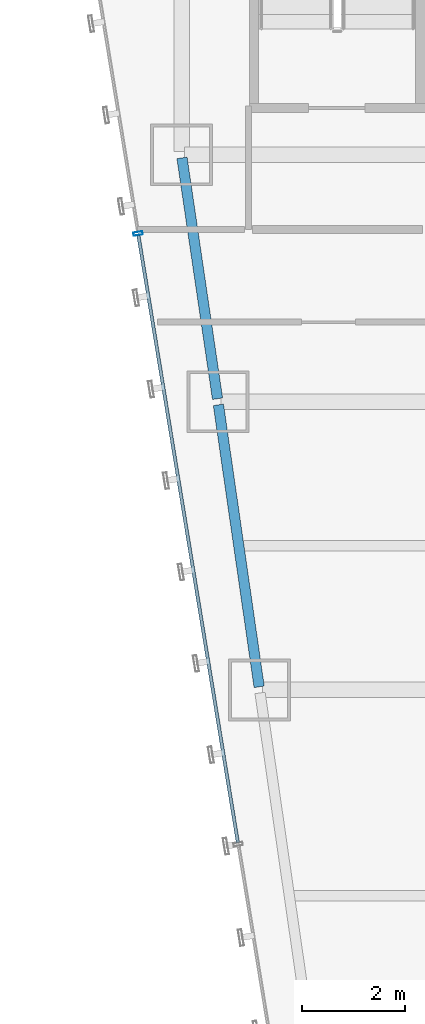
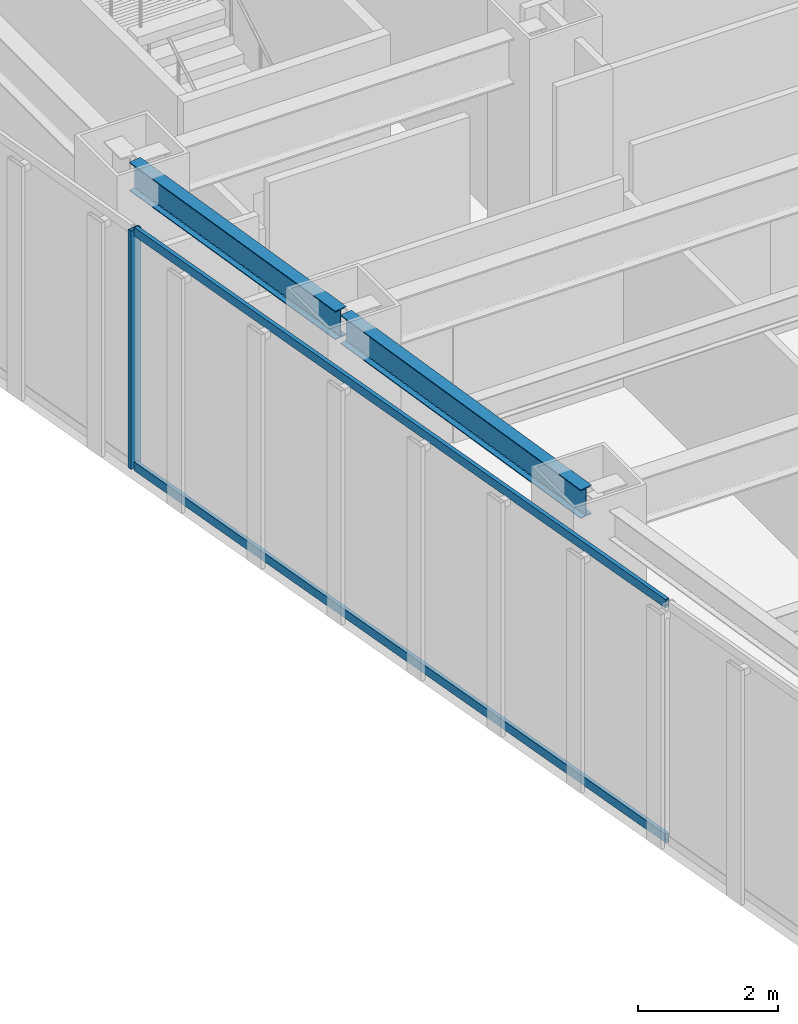
# One storey, part 22 of 47: 3 members, 2 beams, 1 element without a shape of its own.
"""IFC4 building model written with IfcOpenShell, lengths in metres."""

from ifc_helpers import new_model, si_unit, direction, frame, origin, origin_2d, place, context, subcontext, project, spatial, hollow_rectangle, i_section, extrude, material, material_profile, profile_set, type_object, element, aggregate, save


model = new_model("IFC4")

# Units and contexts
model_context = context("Model", 3, precision=1e-05, world=origin(), true_north=direction((0.0, 1.0)))
body_context = subcontext(model_context, "Body", "Model", "MODEL_VIEW")
ifc_project = project(units=[si_unit("LENGTHUNIT", "METRE"), si_unit("AREAUNIT", "SQUARE_METRE"), si_unit("VOLUMEUNIT", "CUBIC_METRE"), si_unit("PLANEANGLEUNIT", "RADIAN"), si_unit("MASSUNIT", "GRAM", prefix="KILO")], contexts=[model_context])

# Site, building, storey
site_placement = place(None, origin())
site = spatial("IfcSite", under=ifc_project, at=site_placement, CompositionType="ELEMENT")
building_placement = place(site_placement, origin())
building = spatial("IfcBuilding", under=site, at=building_placement, Name="Saevonmaru Cultural Tower", CompositionType="ELEMENT")
storey_placement = place(building_placement, frame((0.0, 0.0, 51.60009765625)))
storey = spatial("IfcBuildingStorey", under=building, at=storey_placement, Name="L10", CompositionType="ELEMENT", Elevation=51.60009765625)

# Beams
ifc_material_1 = material(Name="Steel SM355", Category="steel")
ifc_material_profile_1 = material_profile(ifc_material_1, i_section(OverallWidth=0.199951171875, OverallDepth=0.5, WebThickness=0.010009765625, FlangeThickness=0.01611328125, FilletRadius=0.02001953125, at=origin_2d()), Name="H-500x200x10x16")
ifc_profile_set_1 = profile_set([ifc_material_profile_1], Name="Steel SM355")
beam_type = type_object("IfcBeamType", Name="BM-SP-H500", PredefinedType="SPANDREL", material=ifc_profile_set_1)
beam_1_placement = place(storey_placement, frame((8.308349609375, 32.059326171875, 3.89990234375), z_axis=(-0.142964121327, 0.989727871697, 0.0), x_axis=(-0.989727871697, -0.142964121327, 0.0)))
element("IfcBeam", 1, at=beam_1_placement, inside=storey, type_object=beam_type, Name="L10 West Splayed Spandrel 5", PredefinedType="SPANDREL", context=body_context, shape_type="SweptSolid", body=[
    extrude(i_section(OverallWidth=0.199951171875, OverallDepth=0.5, WebThickness=0.010009765625, FlangeThickness=0.01611328125, FilletRadius=0.02001953125, at=origin_2d()), origin(), (0.0, 0.0, 1.0), 5.5380859375),
])
beam_2_placement = place(storey_placement, frame((7.499267578125, 37.659423828125, 3.89990234375), z_axis=(-0.145912860028, 0.989297446312, 0.0), x_axis=(-0.989297446312, -0.145912860028, 0.0)))
element("IfcBeam", 2, at=beam_2_placement, inside=storey, type_object=beam_type, Name="L10 West Splayed Spandrel 6", PredefinedType="SPANDREL", context=body_context, shape_type="SweptSolid", body=[
    extrude(i_section(OverallWidth=0.199951171875, OverallDepth=0.5, WebThickness=0.010009765625, FlangeThickness=0.01611328125, FilletRadius=0.02001953125, at=origin_2d()), origin(), (0.0, 0.0, 1.0), 4.731689453125),
])

# Curtain wall, members
ifc_material_2 = material(Name="Satin Bronze Anodised Aluminium", Category="aluminium")
curtain_wall_type = type_object("IfcCurtainWallType", Name="CW-TYP-A", PredefinedType="NOTDEFINED", material=ifc_material_2)
curtain_wall_placement = place(storey_placement, origin())
curtain_wall = element("IfcCurtainWall", 3, at=curtain_wall_placement, inside=storey, type_object=curtain_wall_type, Name="L10 Unitised Curtain Wall E12", PredefinedType="NOTDEFINED")
ifc_material_profile_2 = material_profile(ifc_material_2, hollow_rectangle(XDim=0.06494140625, YDim=0.179931640625, WallThickness=0.00390625, at=origin_2d()), Name="ALU-MULL-180x65x4")
ifc_profile_set_2 = profile_set([ifc_material_profile_2], Name="Satin Bronze Anodised Aluminium")
member_type_1 = type_object("IfcMemberType", Name="ML-CW-180x65", PredefinedType="MULLION", material=ifc_profile_set_2)
member_1_placement = place(storey_placement, frame((5.954833984375, 40.870361328125, 0.0), z_axis=(0.0, 0.0, 1.0), x_axis=(0.161708868641, -0.986838508472, 0.0)))
member_1 = element("IfcMember", 4, at=member_1_placement, type_object=member_type_1, Name="CW-TW-L10-E12 mullion 2", PredefinedType="MULLION", context=body_context, shape_type="SweptSolid", body=[
    extrude(hollow_rectangle(XDim=0.06494140625, YDim=0.179931640625, WallThickness=0.00390625, at=origin_2d()), origin(), (0.0, 0.0, 1.0), 4.14990234375),
])
ifc_material_profile_3 = material_profile(ifc_material_2, hollow_rectangle(XDim=0.06494140625, YDim=0.14990234375, WallThickness=0.00390625, at=origin_2d()), Name="ALU-TRAN-150x65x4")
ifc_profile_set_3 = profile_set([ifc_material_profile_3], Name="Satin Bronze Anodised Aluminium")
member_type_2 = type_object("IfcMemberType", Name="TR-CW-150x65", PredefinedType="USERDEFINED", material=ifc_profile_set_3)
member_2_placement = place(storey_placement, frame((5.960205078125, 40.83837890625, 0.032470703125), z_axis=(0.161701400727, -0.986839732177, 0.0), x_axis=(0.986839732177, 0.161701400727, 0.0)))
member_2 = element("IfcMember", 5, at=member_2_placement, type_object=member_type_2, Name="CW-TW-L10-E12 transom 2.1", ObjectType="TRANSOM", PredefinedType="USERDEFINED", context=body_context, shape_type="SweptSolid", body=[
    extrude(hollow_rectangle(XDim=0.06494140625, YDim=0.14990234375, WallThickness=0.00390625, at=origin_2d()), origin(), (0.0, 0.0, 1.0), 11.9638671875),
])
member_3_placement = place(storey_placement, frame((5.960205078125, 40.83837890625, 4.117431640625), z_axis=(0.161701400727, -0.986839732177, 0.0), x_axis=(0.986839732177, 0.161701400727, 0.0)))
member_3 = element("IfcMember", 6, at=member_3_placement, type_object=member_type_2, Name="CW-TW-L10-E12 transom 2.2", ObjectType="TRANSOM", PredefinedType="USERDEFINED", context=body_context, shape_type="SweptSolid", body=[
    extrude(hollow_rectangle(XDim=0.06494140625, YDim=0.14990234375, WallThickness=0.00390625, at=origin_2d()), origin(), (0.0, 0.0, 1.0), 11.9638671875),
])
aggregate(curtain_wall, [member_1, member_2, member_3])

save(model, "model.ifc")
